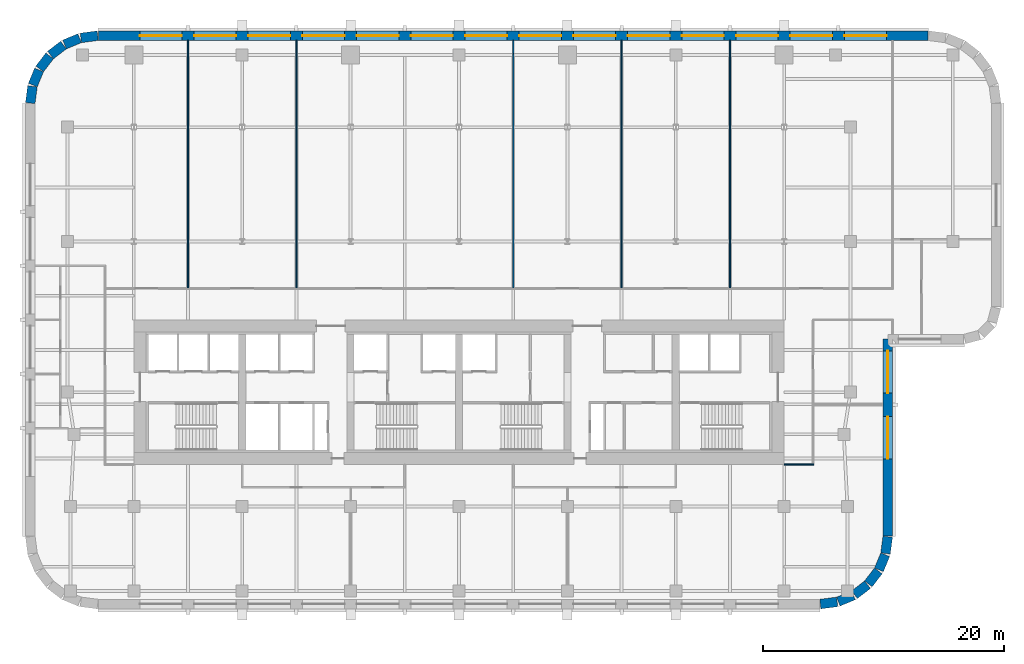
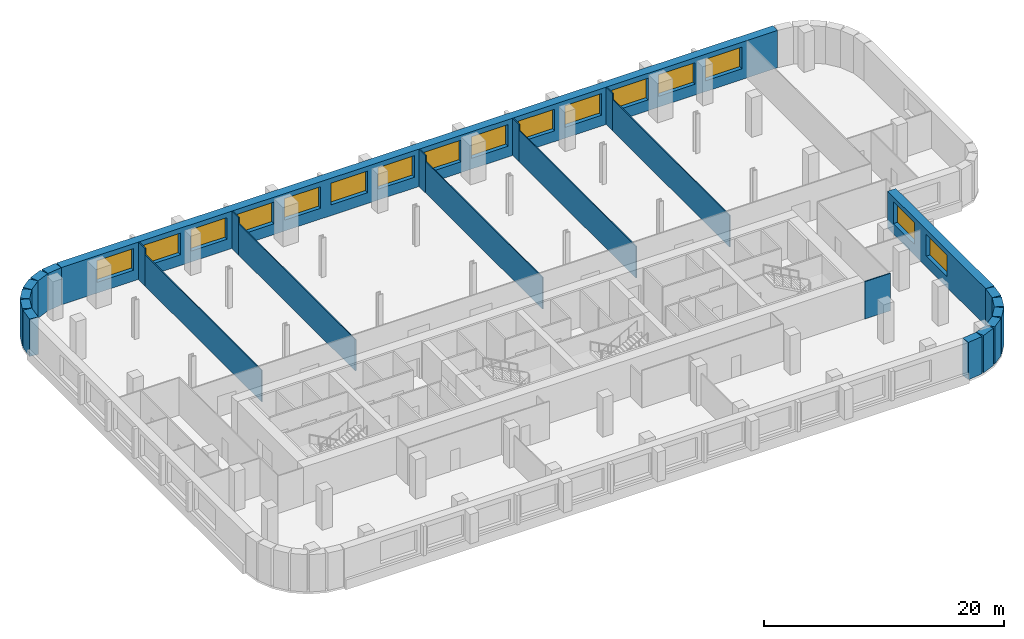
# One storey, part 6 of 9: 25 walls, 16 windows, 16 openings.
"""IFC4 building model written with IfcOpenShell, lengths in metres."""

import ifcopenshell
import ifcopenshell.guid

model = None  # the IFC model being written
_history = None  # IfcOwnerHistory: only IFC2X3 demands one
_inside = {}  # id of a spatial element -> (the spatial element, [elements in it])
_under = {}  # id of a project, library or spatial element -> (it, [spatial elements below it])
_declared = {}  # id of a project -> (the project, [libraries it declares])
_typed = {}  # id of a type object -> (the type object, [elements of that type])
_made_of = {}  # id of a material, layer set ... -> (it, [elements and type objects made of it])


def new_model(schema):
    """Start an empty IFC model of exactly this schema.

    Asked for "IFC4X3", IfcOpenShell would pick the latest addendum, in which some entities
    have other attributes; the version numbers below select the first issue.
    IFC2X3 requires an IfcOwnerHistory on every rooted entity: one is made here for all.
    """
    global model, _history
    if schema == "IFC4X3":
        model = ifcopenshell.file(schema_version=(4, 3, 0, 0))
    else:
        model = ifcopenshell.file(schema=schema)
    _inside.clear()
    _under.clear()
    _declared.clear()
    _typed.clear()
    _made_of.clear()
    _history = None
    if model.schema == "IFC2X3":
        org = make("IfcOrganization", Name="unknown")
        user = make(
            "IfcPersonAndOrganization",
            ThePerson=make("IfcPerson", FamilyName="unknown"),
            TheOrganization=org,
        )
        app = make(
            "IfcApplication",
            ApplicationDeveloper=org,
            Version="unknown",
            ApplicationFullName="unknown",
            ApplicationIdentifier="unknown",
        )
        _history = make(
            "IfcOwnerHistory",
            OwningUser=user,
            OwningApplication=app,
            ChangeAction="ADDED",
            CreationDate=0,
        )
    return model


def make(cls, **values):
    """One entity of the class cls with the attributes given. An attribute that is None is left unset."""
    return model.create_entity(
        cls, **{name: value for name, value in values.items() if value is not None}
    )


def rooted(cls, **values):
    """An entity with a GlobalId (a new one), such as an element, a storey or a relation."""
    return make(cls, GlobalId=ifcopenshell.guid.new(), OwnerHistory=_history, **values)


def si_unit(unit_type, name, prefix=None):
    """IfcSIUnit, for example si_unit("LENGTHUNIT", "METRE", prefix="MILLI")."""
    return make("IfcSIUnit", UnitType=unit_type, Prefix=prefix, Name=name)


def assignment(units):
    """IfcUnitAssignment: the units of a project."""
    return None if units is None else make("IfcUnitAssignment", Units=units)


def point(xyz):
    """IfcCartesianPoint."""
    return None if xyz is None else make("IfcCartesianPoint", Coordinates=xyz)


def direction(xyz):
    """IfcDirection."""
    return None if xyz is None else make("IfcDirection", DirectionRatios=xyz)


def frame(location, z_axis=None, x_axis=None):
    """IfcAxis2Placement3D, a coordinate frame: its origin and axes. An axis left out is left unset."""
    return make(
        "IfcAxis2Placement3D",
        Location=point(location),
        Axis=direction(z_axis),
        RefDirection=direction(x_axis),
    )


def frame_2d(location, x_axis=None):
    """IfcAxis2Placement2D, a coordinate frame in the plane: its origin and x axis."""
    return make(
        "IfcAxis2Placement2D", Location=point(location), RefDirection=direction(x_axis)
    )


def origin():
    """The frame at (0, 0, 0) with its axes left unset."""
    return frame((0.0, 0.0, 0.0))


def place(relative_to, where):
    """IfcLocalPlacement: puts the frame where relative to a parent placement (None: the world)."""
    return make(
        "IfcLocalPlacement", PlacementRelTo=relative_to, RelativePlacement=where
    )


def context(
    kind, dimensions, precision=None, world=None, true_north=None, identifier=None
):
    """IfcGeometricRepresentationContext, for example the 3D "Model" context."""
    return make(
        "IfcGeometricRepresentationContext",
        ContextIdentifier=identifier,
        ContextType=kind,
        CoordinateSpaceDimension=dimensions,
        Precision=precision,
        WorldCoordinateSystem=world,
        TrueNorth=true_north,
    )


def subcontext(parent, identifier, kind, view, scale=None):
    """IfcGeometricRepresentationSubContext, for example "Body" below "Model"."""
    return make(
        "IfcGeometricRepresentationSubContext",
        ContextIdentifier=identifier,
        ContextType=kind,
        ParentContext=parent,
        TargetScale=scale,
        TargetView=view,
    )


def project(units=None, contexts=None):
    """IfcProject with its units and contexts."""
    return rooted(
        "IfcProject",
        Name="project",
        RepresentationContexts=contexts,
        UnitsInContext=assignment(units),
    )


def spatial(cls, under=None, at=None, **own):
    """A site, building, storey or space (cls), placed at a placement, below another one or the project."""
    s = rooted(cls, ObjectPlacement=at, **own)
    if under is not None:
        _under.setdefault(under.id(), (under, []))[1].append(s)
    return s


def profile(cls, at=None, kind="AREA", **sizes):
    """A parametric profile (cls). Its sizes go by their IFC names, for example OverallWidth=200.0."""
    return make(cls, ProfileType=kind, Position=at, **sizes)


def rectangle(**sizes):
    """IfcRectangleProfileDef."""
    return profile("IfcRectangleProfileDef", **sizes)


def extrude(swept, where, along, depth):
    """IfcExtrudedAreaSolid: the profile swept, set in the frame where, extruded along a direction by depth."""
    return make(
        "IfcExtrudedAreaSolid",
        SweptArea=swept,
        Position=where,
        ExtrudedDirection=direction(along),
        Depth=depth,
    )


def shape(context_of_items, identifier, shape_type, items):
    """IfcShapeRepresentation: the items that make up one representation, for example the "Body"."""
    return make(
        "IfcShapeRepresentation",
        ContextOfItems=context_of_items,
        RepresentationIdentifier=identifier,
        RepresentationType=shape_type,
        Items=items,
    )


def material(Name=None, Category=None):
    """IfcMaterial."""
    return make("IfcMaterial", Name=Name, Category=Category)


def layer(
    of_material, thickness, ventilated=None, Name=None, Category=None, Priority=None
):
    """IfcMaterialLayer: one layer of a wall or slab, of a material (None: an air gap)."""
    return make(
        "IfcMaterialLayer",
        Material=of_material,
        LayerThickness=thickness,
        IsVentilated=ventilated,
        Name=Name,
        Category=Category,
        Priority=Priority,
    )


def layer_set(layers, Name=None):
    """IfcMaterialLayerSet."""
    return make("IfcMaterialLayerSet", MaterialLayers=layers, LayerSetName=Name)


def made_of(thing, what):
    """Note that an element or type object is made of a material, layer set ...; save() writes the relation."""
    if what is not None:
        _made_of.setdefault(what.id(), (what, []))[1].append(thing)
    return thing


def type_object(cls, material=None, **own):
    """A type object (cls), such as IfcWallType, which elements share."""
    return made_of(rooted(cls, **own), material)


def element(
    cls,
    number,
    at=None,
    inside=None,
    cuts=None,
    type_object=None,
    material=None,
    context=None,
    identifier="Body",
    shape_type=None,
    held_by="IfcProductDefinitionShape",
    body=None,
    shapes=None,
    **own,
):
    """One element of the class cls, such as IfcWall. Its Tag is "e" and its number.

    at: its placement. inside: the storey or other place that contains it. cuts: it is an
    opening in that element (IfcRelVoidsElement). A single representation is given by context,
    identifier, shape_type and body (its items); several are given by shapes. held_by: the class
    of the entity that holds the representations. save() writes the other relations.
    """
    e = rooted(cls, Tag="e%d" % number, ObjectPlacement=at, **own)
    if body is not None:
        shapes = [shape(context, identifier, shape_type, body)]
    if shapes is not None:
        e.Representation = make(held_by, Representations=shapes)
    if inside is not None:
        _inside.setdefault(inside.id(), (inside, []))[1].append(e)
    if cuts is not None:
        rooted(
            "IfcRelVoidsElement", RelatingBuildingElement=cuts, RelatedOpeningElement=e
        )
    if type_object is not None:
        _typed.setdefault(type_object.id(), (type_object, []))[1].append(e)
    return made_of(e, material)


def fill(opening, filler):
    """IfcRelFillsElement: the door or window that sits in an opening."""
    return rooted(
        "IfcRelFillsElement",
        RelatingOpeningElement=opening,
        RelatedBuildingElement=filler,
    )


def aggregate(whole, parts):
    """IfcRelAggregates: a whole, such as a stair, and the parts it consists of."""
    return rooted("IfcRelAggregates", RelatingObject=whole, RelatedObjects=parts)


def save(model, path):
    """Write the relations noted so far, then the file.

    IfcRelAggregates (storeys below a building ...), IfcRelContainedInSpatialStructure (elements
    in a storey), IfcRelDefinesByType, IfcRelAssociatesMaterial and IfcRelDeclares: one each for
    every whole, place, type object, material and project.
    """
    for whole, parts in _under.values():
        aggregate(whole, parts)
    for where, things in _inside.values():
        rooted(
            "IfcRelContainedInSpatialStructure",
            RelatedElements=things,
            RelatingStructure=where,
        )
    for kind, things in _typed.values():
        rooted("IfcRelDefinesByType", RelatedObjects=things, RelatingType=kind)
    for what, things in _made_of.values():
        rooted("IfcRelAssociatesMaterial", RelatedObjects=things, RelatingMaterial=what)
    for by, libraries in _declared.values():
        rooted("IfcRelDeclares", RelatingContext=by, RelatedDefinitions=libraries)
    model.write(path)


model = new_model("IFC4")

# Units and contexts
model_context = context("Model", 3, precision=1e-05, world=origin(), true_north=direction((0.0, 1.0)))
body_context = subcontext(model_context, "Body", "Model", "MODEL_VIEW")
ifc_project = project(units=[si_unit("LENGTHUNIT", "METRE"), si_unit("AREAUNIT", "SQUARE_METRE"), si_unit("VOLUMEUNIT", "CUBIC_METRE"), si_unit("PLANEANGLEUNIT", "RADIAN"), si_unit("MASSUNIT", "GRAM", prefix="KILO")], contexts=[model_context])

# Site, building, storey
site_placement = place(None, origin())
site = spatial("IfcSite", under=ifc_project, at=site_placement, CompositionType="ELEMENT")
building_placement = place(site_placement, origin())
building = spatial("IfcBuilding", under=site, at=building_placement, Name="Zellij Exchange Tower", CompositionType="ELEMENT")
storey_placement = place(building_placement, frame((0.0, 0.0, 136.5)))
storey = spatial("IfcBuildingStorey", under=building, at=storey_placement, Name="L30", CompositionType="ELEMENT", Elevation=136.5)

# Walls
ifc_material_1 = material(Name="Precast concrete C40/50", Category="concrete")
ifc_layer_1 = layer(ifc_material_1, 0.800048828125)
ifc_layer_set_1 = layer_set([ifc_layer_1], Name="Precast concrete C40/50")
wall_type_1 = type_object("IfcWallType", Name="ENV-EW1 Precast stone-piered wall 800", PredefinedType="SOLIDWALL", material=ifc_layer_set_1)
wall_1_placement = place(storey_placement, frame((29.999755859375, -25.5966796875, 0.0), z_axis=(0.0, 0.0, 1.0), x_axis=(0.99144603414, 0.130517283865, 0.0)))
element("IfcWall", 1, at=wall_1_placement, inside=storey, type_object=wall_type_1, Name="fac.L30.01", PredefinedType="SOLIDWALL", context=body_context, shape_type="SweptSolid", body=[
    extrude(rectangle(XDim=1.408447265625, YDim=0.800048828125, at=frame_2d((0.7041015625, 0.0))), origin(), (0.0, 0.0, 1.0), 3.800048828125),
])
wall_2_placement = place(storey_placement, frame((31.497314453125, -25.3857421875, 0.0), z_axis=(0.0, 0.0, 1.0), x_axis=(0.923847774587, 0.38276009378, 0.0)))
element("IfcWall", 2, at=wall_2_placement, inside=storey, type_object=wall_type_1, Name="fac.L30.02", PredefinedType="SOLIDWALL", context=body_context, shape_type="SweptSolid", body=[
    extrude(rectangle(XDim=1.35546875, YDim=0.800048828125, at=frame_2d((0.677734375, 0.0))), origin(), (0.0, 0.0, 1.0), 3.800048828125),
])
for number, where, z_axis, x_axis, name in (
    (3, (32.840087890625, -24.814697265625, 0.0), (0.0, 0.0, 1.0), (0.793272915452, 0.608866226366, 0.0), "fac.L30.03"),
    (4, (33.9892578125, -23.91552734375, 0.0), (0.0, 0.0, 1.0), (0.608866226366, 0.793272915452, 0.0), "fac.L30.04"),
):
    element("IfcWall", number, at=place(storey_placement, frame(where, z_axis=z_axis, x_axis=x_axis)), inside=storey, type_object=wall_type_1, Name=name, PredefinedType="SOLIDWALL", context=body_context, shape_type="SweptSolid", body=[
        extrude(rectangle(XDim=1.355712890625, YDim=0.800048828125, at=frame_2d((0.677734375, 0.0))), origin(), (0.0, 0.0, 1.0), 3.800048828125),
    ])
wall_3_placement = place(storey_placement, frame((34.866943359375, -22.74951171875, 0.0), z_axis=(0.0, 0.0, 1.0), x_axis=(0.38276009378, 0.923847774587, 0.0)))
element("IfcWall", 5, at=wall_3_placement, inside=storey, type_object=wall_type_1, Name="fac.L30.05", PredefinedType="SOLIDWALL", context=body_context, shape_type="SweptSolid", body=[
    extrude(rectangle(XDim=1.35546875, YDim=0.800048828125, at=frame_2d((0.677734375, 0.0))), origin(), (0.0, 0.0, 1.0), 3.800048828125),
])
wall_4_placement = place(storey_placement, frame((35.412841796875, -21.396240234375, 0.0), z_axis=(0.0, 0.0, 1.0), x_axis=(0.130517283865, 0.99144603414, 0.0)))
element("IfcWall", 6, at=wall_4_placement, inside=storey, type_object=wall_type_1, Name="fac.L30.06", PredefinedType="SOLIDWALL", context=body_context, shape_type="SweptSolid", body=[
    extrude(rectangle(XDim=1.408447265625, YDim=0.800048828125, at=frame_2d((0.7041015625, 0.0))), origin(), (0.0, 0.0, 1.0), 3.800048828125),
])

# Wall, openings, windows
wall_5_placement = place(storey_placement, frame((35.60009765625, -19.947509765625, 0.0), z_axis=(0.0, 0.0, 1.0), x_axis=(0.0, 1.0, 0.0)))
wall_5 = element("IfcWall", 7, at=wall_5_placement, inside=storey, type_object=wall_type_1, Name="fac.L30.07", PredefinedType="SOLIDWALL", context=body_context, shape_type="SweptSolid", body=[
    extrude(rectangle(XDim=16.347412109375, YDim=0.800048828125, at=frame_2d((8.173828125, 0.0))), origin(), (0.0, 0.0, 1.0), 3.800048828125),
])
opening_1_placement = place(wall_5_placement, frame((6.41064453125, 0.0, 1.10009765625)))
opening_1 = element("IfcOpeningElement", 8, at=opening_1_placement, cuts=wall_5, Name="Opening FZ2.13", PredefinedType="OPENING", context=body_context, shape_type="SweptSolid", body=[
    extrude(rectangle(XDim=3.5, YDim=2.199951171875, at=frame_2d((1.75, 1.10009765625))), frame((0.0, 0.412109375, 0.0), z_axis=(0.0, -1.0, 0.0), x_axis=(1.0, 0.0, 0.0)), (0.0, 0.0, 1.0), 0.823974609375),
])
opening_2_placement = place(wall_5_placement, frame((11.86865234375, 0.0, 1.10009765625)))
opening_2 = element("IfcOpeningElement", 9, at=opening_2_placement, cuts=wall_5, Name="Opening FZ2.14", PredefinedType="OPENING", context=body_context, shape_type="SweptSolid", body=[
    extrude(rectangle(XDim=3.5, YDim=2.199951171875, at=frame_2d((1.75, 1.10009765625))), frame((0.0, 0.412109375, 0.0), z_axis=(0.0, -1.0, 0.0), x_axis=(1.0, 0.0, 0.0)), (0.0, 0.0, 1.0), 0.823974609375),
])
ifc_material_2 = material(Name="Aluminium frame with insulating glass", Category="aluminium")
window_type = type_object("IfcWindowType", Name="ENV-W7 Window 3500x2200", PartitioningType="SINGLE_PANEL", PredefinedType="WINDOW", material=ifc_material_2)
window_1_placement = place(opening_1_placement, origin())
window_1 = element("IfcWindow", 10, at=window_1_placement, inside=storey, type_object=window_type, Name="Window FZ2.13", OverallHeight=2.199951171875, OverallWidth=3.5, PartitioningType="SINGLE_PANEL", PredefinedType="WINDOW", context=body_context, shape_type="SweptSolid", body=[
    extrude(rectangle(XDim=3.5, YDim=2.199951171875, at=frame_2d((1.75, 1.10009765625))), frame((0.0, 0.030029296875, 0.0), z_axis=(0.0, -1.0, 0.0), x_axis=(1.0, 0.0, 0.0)), (0.0, 0.0, 1.0), 0.06005859375),
])
fill(opening_1, window_1)
window_2_placement = place(opening_2_placement, origin())
window_2 = element("IfcWindow", 11, at=window_2_placement, inside=storey, type_object=window_type, Name="Window FZ2.14", OverallHeight=2.199951171875, OverallWidth=3.5, PartitioningType="SINGLE_PANEL", PredefinedType="WINDOW", context=body_context, shape_type="SweptSolid", body=[
    extrude(rectangle(XDim=3.5, YDim=2.199951171875, at=frame_2d((1.75, 1.10009765625))), frame((0.0, 0.030029296875, 0.0), z_axis=(0.0, -1.0, 0.0), x_axis=(1.0, 0.0, 0.0)), (0.0, 0.0, 1.0), 0.06005859375),
])
fill(opening_2, window_2)

wall_6_placement = place(storey_placement, frame((38.947509765625, 21.60009765625, 0.0), z_axis=(0.0, 0.0, 1.0), x_axis=(-1.0, 0.0, 0.0)))
wall_6 = element("IfcWall", 12, at=wall_6_placement, inside=storey, type_object=wall_type_1, Name="fac.L30.19", PredefinedType="SOLIDWALL", context=body_context, shape_type="SweptSolid", body=[
    extrude(rectangle(XDim=68.89501953125, YDim=0.800048828125, at=frame_2d((34.447509765625, 0.0))), origin(), (0.0, 0.0, 1.0), 3.800048828125),
])
opening_3_placement = place(wall_6_placement, frame((3.447509765625, 0.0, 1.10009765625)))
opening_3 = element("IfcOpeningElement", 13, at=opening_3_placement, cuts=wall_6, Name="Opening FZ2.17", PredefinedType="OPENING", context=body_context, shape_type="SweptSolid", body=[
    extrude(rectangle(XDim=3.5, YDim=2.199951171875, at=frame_2d((1.75, 1.10009765625))), frame((0.0, 0.412109375, 0.0), z_axis=(0.0, -1.0, 0.0), x_axis=(1.0, 0.0, 0.0)), (0.0, 0.0, 1.0), 0.823974609375),
])
opening_4_placement = place(wall_6_placement, frame((7.947509765625, 0.0, 1.10009765625)))
opening_4 = element("IfcOpeningElement", 14, at=opening_4_placement, cuts=wall_6, Name="Opening FZ2.18", PredefinedType="OPENING", context=body_context, shape_type="SweptSolid", body=[
    extrude(rectangle(XDim=3.5, YDim=2.199951171875, at=frame_2d((1.75, 1.10009765625))), frame((0.0, 0.412109375, 0.0), z_axis=(0.0, -1.0, 0.0), x_axis=(1.0, 0.0, 0.0)), (0.0, 0.0, 1.0), 0.823974609375),
])
opening_5_placement = place(wall_6_placement, frame((12.447509765625, 0.0, 1.10009765625)))
opening_5 = element("IfcOpeningElement", 15, at=opening_5_placement, cuts=wall_6, Name="Opening FZ2.19", PredefinedType="OPENING", context=body_context, shape_type="SweptSolid", body=[
    extrude(rectangle(XDim=3.5, YDim=2.199951171875, at=frame_2d((1.75, 1.10009765625))), frame((0.0, 0.412109375, 0.0), z_axis=(0.0, -1.0, 0.0), x_axis=(1.0, 0.0, 0.0)), (0.0, 0.0, 1.0), 0.823974609375),
])
opening_6_placement = place(wall_6_placement, frame((16.947509765625, 0.0, 1.10009765625)))
opening_6 = element("IfcOpeningElement", 16, at=opening_6_placement, cuts=wall_6, Name="Opening FZ2.20", PredefinedType="OPENING", context=body_context, shape_type="SweptSolid", body=[
    extrude(rectangle(XDim=3.5, YDim=2.199951171875, at=frame_2d((1.75, 1.10009765625))), frame((0.0, 0.412109375, 0.0), z_axis=(0.0, -1.0, 0.0), x_axis=(1.0, 0.0, 0.0)), (0.0, 0.0, 1.0), 0.823974609375),
])
opening_7_placement = place(wall_6_placement, frame((21.447509765625, 0.0, 1.10009765625)))
opening_7 = element("IfcOpeningElement", 17, at=opening_7_placement, cuts=wall_6, Name="Opening FZ2.21", PredefinedType="OPENING", context=body_context, shape_type="SweptSolid", body=[
    extrude(rectangle(XDim=3.5, YDim=2.199951171875, at=frame_2d((1.75, 1.10009765625))), frame((0.0, 0.412109375, 0.0), z_axis=(0.0, -1.0, 0.0), x_axis=(1.0, 0.0, 0.0)), (0.0, 0.0, 1.0), 0.823974609375),
])
opening_8_placement = place(wall_6_placement, frame((25.947509765625, 0.0, 1.10009765625)))
opening_8 = element("IfcOpeningElement", 18, at=opening_8_placement, cuts=wall_6, Name="Opening FZ2.22", PredefinedType="OPENING", context=body_context, shape_type="SweptSolid", body=[
    extrude(rectangle(XDim=3.5, YDim=2.199951171875, at=frame_2d((1.75, 1.10009765625))), frame((0.0, 0.412109375, 0.0), z_axis=(0.0, -1.0, 0.0), x_axis=(1.0, 0.0, 0.0)), (0.0, 0.0, 1.0), 0.823974609375),
])
opening_9_placement = place(wall_6_placement, frame((30.447509765625, 0.0, 1.10009765625)))
opening_9 = element("IfcOpeningElement", 19, at=opening_9_placement, cuts=wall_6, Name="Opening FZ2.23", PredefinedType="OPENING", context=body_context, shape_type="SweptSolid", body=[
    extrude(rectangle(XDim=3.5, YDim=2.199951171875, at=frame_2d((1.75, 1.10009765625))), frame((0.0, 0.412109375, 0.0), z_axis=(0.0, -1.0, 0.0), x_axis=(1.0, 0.0, 0.0)), (0.0, 0.0, 1.0), 0.823974609375),
])
opening_10_placement = place(wall_6_placement, frame((34.947509765625, 0.0, 1.10009765625)))
opening_10 = element("IfcOpeningElement", 20, at=opening_10_placement, cuts=wall_6, Name="Opening FZ2.24", PredefinedType="OPENING", context=body_context, shape_type="SweptSolid", body=[
    extrude(rectangle(XDim=3.5, YDim=2.199951171875, at=frame_2d((1.75, 1.10009765625))), frame((0.0, 0.412109375, 0.0), z_axis=(0.0, -1.0, 0.0), x_axis=(1.0, 0.0, 0.0)), (0.0, 0.0, 1.0), 0.823974609375),
])
opening_11_placement = place(wall_6_placement, frame((39.447509765625, 0.0, 1.10009765625)))
opening_11 = element("IfcOpeningElement", 21, at=opening_11_placement, cuts=wall_6, Name="Opening FZ2.25", PredefinedType="OPENING", context=body_context, shape_type="SweptSolid", body=[
    extrude(rectangle(XDim=3.5, YDim=2.199951171875, at=frame_2d((1.75, 1.10009765625))), frame((0.0, 0.412109375, 0.0), z_axis=(0.0, -1.0, 0.0), x_axis=(1.0, 0.0, 0.0)), (0.0, 0.0, 1.0), 0.823974609375),
])
opening_12_placement = place(wall_6_placement, frame((43.947509765625, 0.0, 1.10009765625)))
opening_12 = element("IfcOpeningElement", 22, at=opening_12_placement, cuts=wall_6, Name="Opening FZ2.26", PredefinedType="OPENING", context=body_context, shape_type="SweptSolid", body=[
    extrude(rectangle(XDim=3.5, YDim=2.199951171875, at=frame_2d((1.75, 1.10009765625))), frame((0.0, 0.412109375, 0.0), z_axis=(0.0, -1.0, 0.0), x_axis=(1.0, 0.0, 0.0)), (0.0, 0.0, 1.0), 0.823974609375),
])
opening_13_placement = place(wall_6_placement, frame((48.447509765625, 0.0, 1.10009765625)))
opening_13 = element("IfcOpeningElement", 23, at=opening_13_placement, cuts=wall_6, Name="Opening FZ2.27", PredefinedType="OPENING", context=body_context, shape_type="SweptSolid", body=[
    extrude(rectangle(XDim=3.5, YDim=2.199951171875, at=frame_2d((1.75, 1.10009765625))), frame((0.0, 0.412109375, 0.0), z_axis=(0.0, -1.0, 0.0), x_axis=(1.0, 0.0, 0.0)), (0.0, 0.0, 1.0), 0.823974609375),
])
opening_14_placement = place(wall_6_placement, frame((52.947509765625, 0.0, 1.10009765625)))
opening_14 = element("IfcOpeningElement", 24, at=opening_14_placement, cuts=wall_6, Name="Opening FZ2.28", PredefinedType="OPENING", context=body_context, shape_type="SweptSolid", body=[
    extrude(rectangle(XDim=3.5, YDim=2.199951171875, at=frame_2d((1.75, 1.10009765625))), frame((0.0, 0.412109375, 0.0), z_axis=(0.0, -1.0, 0.0), x_axis=(1.0, 0.0, 0.0)), (0.0, 0.0, 1.0), 0.823974609375),
])
opening_15_placement = place(wall_6_placement, frame((57.447509765625, 0.0, 1.10009765625)))
opening_15 = element("IfcOpeningElement", 25, at=opening_15_placement, cuts=wall_6, Name="Opening FZ2.29", PredefinedType="OPENING", context=body_context, shape_type="SweptSolid", body=[
    extrude(rectangle(XDim=3.5, YDim=2.199951171875, at=frame_2d((1.75, 1.10009765625))), frame((0.0, 0.412109375, 0.0), z_axis=(0.0, -1.0, 0.0), x_axis=(1.0, 0.0, 0.0)), (0.0, 0.0, 1.0), 0.823974609375),
])
opening_16_placement = place(wall_6_placement, frame((61.947509765625, 0.0, 1.10009765625)))
opening_16 = element("IfcOpeningElement", 26, at=opening_16_placement, cuts=wall_6, Name="Opening FZ2.30", PredefinedType="OPENING", context=body_context, shape_type="SweptSolid", body=[
    extrude(rectangle(XDim=3.5, YDim=2.199951171875, at=frame_2d((1.75, 1.10009765625))), frame((0.0, 0.412109375, 0.0), z_axis=(0.0, -1.0, 0.0), x_axis=(1.0, 0.0, 0.0)), (0.0, 0.0, 1.0), 0.823974609375),
])
window_3_placement = place(opening_3_placement, origin())
window_3 = element("IfcWindow", 27, at=window_3_placement, inside=storey, type_object=window_type, Name="Window FZ2.17", OverallHeight=2.199951171875, OverallWidth=3.5, PartitioningType="SINGLE_PANEL", PredefinedType="WINDOW", context=body_context, shape_type="SweptSolid", body=[
    extrude(rectangle(XDim=3.5, YDim=2.199951171875, at=frame_2d((1.75, 1.10009765625))), frame((0.0, 0.030029296875, 0.0), z_axis=(0.0, -1.0, 0.0), x_axis=(1.0, 0.0, 0.0)), (0.0, 0.0, 1.0), 0.06005859375),
])
fill(opening_3, window_3)
window_4_placement = place(opening_4_placement, origin())
window_4 = element("IfcWindow", 28, at=window_4_placement, inside=storey, type_object=window_type, Name="Window FZ2.18", OverallHeight=2.199951171875, OverallWidth=3.5, PartitioningType="SINGLE_PANEL", PredefinedType="WINDOW", context=body_context, shape_type="SweptSolid", body=[
    extrude(rectangle(XDim=3.5, YDim=2.199951171875, at=frame_2d((1.75, 1.10009765625))), frame((0.0, 0.030029296875, 0.0), z_axis=(0.0, -1.0, 0.0), x_axis=(1.0, 0.0, 0.0)), (0.0, 0.0, 1.0), 0.06005859375),
])
fill(opening_4, window_4)
window_5_placement = place(opening_5_placement, origin())
window_5 = element("IfcWindow", 29, at=window_5_placement, inside=storey, type_object=window_type, Name="Window FZ2.19", OverallHeight=2.199951171875, OverallWidth=3.5, PartitioningType="SINGLE_PANEL", PredefinedType="WINDOW", context=body_context, shape_type="SweptSolid", body=[
    extrude(rectangle(XDim=3.5, YDim=2.199951171875, at=frame_2d((1.75, 1.10009765625))), frame((0.0, 0.030029296875, 0.0), z_axis=(0.0, -1.0, 0.0), x_axis=(1.0, 0.0, 0.0)), (0.0, 0.0, 1.0), 0.06005859375),
])
fill(opening_5, window_5)
window_6_placement = place(opening_6_placement, origin())
window_6 = element("IfcWindow", 30, at=window_6_placement, inside=storey, type_object=window_type, Name="Window FZ2.20", OverallHeight=2.199951171875, OverallWidth=3.5, PartitioningType="SINGLE_PANEL", PredefinedType="WINDOW", context=body_context, shape_type="SweptSolid", body=[
    extrude(rectangle(XDim=3.5, YDim=2.199951171875, at=frame_2d((1.75, 1.10009765625))), frame((0.0, 0.030029296875, 0.0), z_axis=(0.0, -1.0, 0.0), x_axis=(1.0, 0.0, 0.0)), (0.0, 0.0, 1.0), 0.06005859375),
])
fill(opening_6, window_6)
window_7_placement = place(opening_7_placement, origin())
window_7 = element("IfcWindow", 31, at=window_7_placement, inside=storey, type_object=window_type, Name="Window FZ2.21", OverallHeight=2.199951171875, OverallWidth=3.5, PartitioningType="SINGLE_PANEL", PredefinedType="WINDOW", context=body_context, shape_type="SweptSolid", body=[
    extrude(rectangle(XDim=3.5, YDim=2.199951171875, at=frame_2d((1.75, 1.10009765625))), frame((0.0, 0.030029296875, 0.0), z_axis=(0.0, -1.0, 0.0), x_axis=(1.0, 0.0, 0.0)), (0.0, 0.0, 1.0), 0.06005859375),
])
fill(opening_7, window_7)
window_8_placement = place(opening_8_placement, origin())
window_8 = element("IfcWindow", 32, at=window_8_placement, inside=storey, type_object=window_type, Name="Window FZ2.22", OverallHeight=2.199951171875, OverallWidth=3.5, PartitioningType="SINGLE_PANEL", PredefinedType="WINDOW", context=body_context, shape_type="SweptSolid", body=[
    extrude(rectangle(XDim=3.5, YDim=2.199951171875, at=frame_2d((1.75, 1.10009765625))), frame((0.0, 0.030029296875, 0.0), z_axis=(0.0, -1.0, 0.0), x_axis=(1.0, 0.0, 0.0)), (0.0, 0.0, 1.0), 0.06005859375),
])
fill(opening_8, window_8)
window_9_placement = place(opening_9_placement, origin())
window_9 = element("IfcWindow", 33, at=window_9_placement, inside=storey, type_object=window_type, Name="Window FZ2.23", OverallHeight=2.199951171875, OverallWidth=3.5, PartitioningType="SINGLE_PANEL", PredefinedType="WINDOW", context=body_context, shape_type="SweptSolid", body=[
    extrude(rectangle(XDim=3.5, YDim=2.199951171875, at=frame_2d((1.75, 1.10009765625))), frame((0.0, 0.030029296875, 0.0), z_axis=(0.0, -1.0, 0.0), x_axis=(1.0, 0.0, 0.0)), (0.0, 0.0, 1.0), 0.06005859375),
])
fill(opening_9, window_9)
window_10_placement = place(opening_10_placement, origin())
window_10 = element("IfcWindow", 34, at=window_10_placement, inside=storey, type_object=window_type, Name="Window FZ2.24", OverallHeight=2.199951171875, OverallWidth=3.5, PartitioningType="SINGLE_PANEL", PredefinedType="WINDOW", context=body_context, shape_type="SweptSolid", body=[
    extrude(rectangle(XDim=3.5, YDim=2.199951171875, at=frame_2d((1.75, 1.10009765625))), frame((0.0, 0.030029296875, 0.0), z_axis=(0.0, -1.0, 0.0), x_axis=(1.0, 0.0, 0.0)), (0.0, 0.0, 1.0), 0.06005859375),
])
fill(opening_10, window_10)
window_11_placement = place(opening_11_placement, origin())
window_11 = element("IfcWindow", 35, at=window_11_placement, inside=storey, type_object=window_type, Name="Window FZ2.25", OverallHeight=2.199951171875, OverallWidth=3.5, PartitioningType="SINGLE_PANEL", PredefinedType="WINDOW", context=body_context, shape_type="SweptSolid", body=[
    extrude(rectangle(XDim=3.5, YDim=2.199951171875, at=frame_2d((1.75, 1.10009765625))), frame((0.0, 0.030029296875, 0.0), z_axis=(0.0, -1.0, 0.0), x_axis=(1.0, 0.0, 0.0)), (0.0, 0.0, 1.0), 0.06005859375),
])
fill(opening_11, window_11)
window_12_placement = place(opening_12_placement, origin())
window_12 = element("IfcWindow", 36, at=window_12_placement, inside=storey, type_object=window_type, Name="Window FZ2.26", OverallHeight=2.199951171875, OverallWidth=3.5, PartitioningType="SINGLE_PANEL", PredefinedType="WINDOW", context=body_context, shape_type="SweptSolid", body=[
    extrude(rectangle(XDim=3.5, YDim=2.199951171875, at=frame_2d((1.75, 1.10009765625))), frame((0.0, 0.030029296875, 0.0), z_axis=(0.0, -1.0, 0.0), x_axis=(1.0, 0.0, 0.0)), (0.0, 0.0, 1.0), 0.06005859375),
])
fill(opening_12, window_12)
window_13_placement = place(opening_13_placement, origin())
window_13 = element("IfcWindow", 37, at=window_13_placement, inside=storey, type_object=window_type, Name="Window FZ2.27", OverallHeight=2.199951171875, OverallWidth=3.5, PartitioningType="SINGLE_PANEL", PredefinedType="WINDOW", context=body_context, shape_type="SweptSolid", body=[
    extrude(rectangle(XDim=3.5, YDim=2.199951171875, at=frame_2d((1.75, 1.10009765625))), frame((0.0, 0.030029296875, 0.0), z_axis=(0.0, -1.0, 0.0), x_axis=(1.0, 0.0, 0.0)), (0.0, 0.0, 1.0), 0.06005859375),
])
fill(opening_13, window_13)
window_14_placement = place(opening_14_placement, origin())
window_14 = element("IfcWindow", 38, at=window_14_placement, inside=storey, type_object=window_type, Name="Window FZ2.28", OverallHeight=2.199951171875, OverallWidth=3.5, PartitioningType="SINGLE_PANEL", PredefinedType="WINDOW", context=body_context, shape_type="SweptSolid", body=[
    extrude(rectangle(XDim=3.5, YDim=2.199951171875, at=frame_2d((1.75, 1.10009765625))), frame((0.0, 0.030029296875, 0.0), z_axis=(0.0, -1.0, 0.0), x_axis=(1.0, 0.0, 0.0)), (0.0, 0.0, 1.0), 0.06005859375),
])
fill(opening_14, window_14)
window_15_placement = place(opening_15_placement, origin())
window_15 = element("IfcWindow", 39, at=window_15_placement, inside=storey, type_object=window_type, Name="Window FZ2.29", OverallHeight=2.199951171875, OverallWidth=3.5, PartitioningType="SINGLE_PANEL", PredefinedType="WINDOW", context=body_context, shape_type="SweptSolid", body=[
    extrude(rectangle(XDim=3.5, YDim=2.199951171875, at=frame_2d((1.75, 1.10009765625))), frame((0.0, 0.030029296875, 0.0), z_axis=(0.0, -1.0, 0.0), x_axis=(1.0, 0.0, 0.0)), (0.0, 0.0, 1.0), 0.06005859375),
])
fill(opening_15, window_15)
window_16_placement = place(opening_16_placement, origin())
window_16 = element("IfcWindow", 40, at=window_16_placement, inside=storey, type_object=window_type, Name="Window FZ2.30", OverallHeight=2.199951171875, OverallWidth=3.5, PartitioningType="SINGLE_PANEL", PredefinedType="WINDOW", context=body_context, shape_type="SweptSolid", body=[
    extrude(rectangle(XDim=3.5, YDim=2.199951171875, at=frame_2d((1.75, 1.10009765625))), frame((0.0, 0.030029296875, 0.0), z_axis=(0.0, -1.0, 0.0), x_axis=(1.0, 0.0, 0.0)), (0.0, 0.0, 1.0), 0.06005859375),
])
fill(opening_16, window_16)

# Walls
wall_7_placement = place(storey_placement, frame((-29.999755859375, 21.5966796875, 0.0), z_axis=(0.0, 0.0, 1.0), x_axis=(-0.99144603414, -0.130517283865, 0.0)))
element("IfcWall", 41, at=wall_7_placement, inside=storey, type_object=wall_type_1, Name="fac.L30.20", PredefinedType="SOLIDWALL", context=body_context, shape_type="SweptSolid", body=[
    extrude(rectangle(XDim=1.408447265625, YDim=0.800048828125, at=frame_2d((0.7041015625, 0.0))), origin(), (0.0, 0.0, 1.0), 3.800048828125),
])
wall_8_placement = place(storey_placement, frame((-31.497314453125, 21.3857421875, 0.0), z_axis=(0.0, 0.0, 1.0), x_axis=(-0.923847774587, -0.38276009378, 0.0)))
element("IfcWall", 42, at=wall_8_placement, inside=storey, type_object=wall_type_1, Name="fac.L30.21", PredefinedType="SOLIDWALL", context=body_context, shape_type="SweptSolid", body=[
    extrude(rectangle(XDim=1.35546875, YDim=0.800048828125, at=frame_2d((0.677734375, 0.0))), origin(), (0.0, 0.0, 1.0), 3.800048828125),
])
for number, where, z_axis, x_axis, name in (
    (43, (-32.840087890625, 20.814697265625, 0.0), (0.0, 0.0, 1.0), (-0.793272915452, -0.608866226366, 0.0), "fac.L30.22"),
    (44, (-33.9892578125, 19.91552734375, 0.0), (0.0, 0.0, 1.0), (-0.608866226366, -0.793272915452, 0.0), "fac.L30.23"),
):
    element("IfcWall", number, at=place(storey_placement, frame(where, z_axis=z_axis, x_axis=x_axis)), inside=storey, type_object=wall_type_1, Name=name, PredefinedType="SOLIDWALL", context=body_context, shape_type="SweptSolid", body=[
        extrude(rectangle(XDim=1.355712890625, YDim=0.800048828125, at=frame_2d((0.677734375, 0.0))), origin(), (0.0, 0.0, 1.0), 3.800048828125),
    ])
wall_9_placement = place(storey_placement, frame((-34.866943359375, 18.74951171875, 0.0), z_axis=(0.0, 0.0, 1.0), x_axis=(-0.38276009378, -0.923847774587, 0.0)))
element("IfcWall", 45, at=wall_9_placement, inside=storey, type_object=wall_type_1, Name="fac.L30.24", PredefinedType="SOLIDWALL", context=body_context, shape_type="SweptSolid", body=[
    extrude(rectangle(XDim=1.35546875, YDim=0.800048828125, at=frame_2d((0.677734375, 0.0))), origin(), (0.0, 0.0, 1.0), 3.800048828125),
])
wall_10_placement = place(storey_placement, frame((-35.412841796875, 17.396240234375, 0.0), z_axis=(0.0, 0.0, 1.0), x_axis=(-0.130517283865, -0.99144603414, 0.0)))
element("IfcWall", 46, at=wall_10_placement, inside=storey, type_object=wall_type_1, Name="fac.L30.25", PredefinedType="SOLIDWALL", context=body_context, shape_type="SweptSolid", body=[
    extrude(rectangle(XDim=1.408447265625, YDim=0.800048828125, at=frame_2d((0.7041015625, 0.0))), origin(), (0.0, 0.0, 1.0), 3.800048828125),
])
ifc_material_3 = material(Name="Gypsum board partition on steel studs", Category="steel")
ifc_layer_2 = layer(ifc_material_3, 0.10009765625)
ifc_layer_set_2 = layer_set([ifc_layer_2], Name="Gypsum board partition on steel studs")
wall_type_2 = type_object("IfcWallType", Name="FIT-PARTITION-100", PredefinedType="PARTITIONING", material=ifc_layer_set_2)
wall_11_placement = place(storey_placement, frame((27.0, -14.0, 0.0), z_axis=(0.0, 0.0, 1.0), x_axis=(1.0, 0.0, 0.0)))
element("IfcWall", 47, at=wall_11_placement, inside=storey, type_object=wall_type_2, Name="FIT-PARTITION-100 013", PredefinedType="PARTITIONING", context=body_context, shape_type="SweptSolid", body=[
    extrude(rectangle(XDim=2.449951171875, YDim=0.10009765625, at=frame_2d((1.22509765625, 0.0))), origin(), (0.0, 0.0, 1.0), 3.800048828125),
])
wall_12_placement = place(storey_placement, frame((-22.5, 0.64990234375, 0.0), z_axis=(0.0, 0.0, 1.0), x_axis=(0.0, 1.0, 0.0)))
element("IfcWall", 48, at=wall_12_placement, inside=storey, type_object=wall_type_2, Name="FIT-PARTITION-100 025", PredefinedType="PARTITIONING", context=body_context, shape_type="SweptSolid", body=[
    extrude(rectangle(XDim=19.464599609375, YDim=0.10009765625, at=frame_2d((9.732421875, 0.0))), origin(), (0.0, 0.0, 1.0), 3.197998046875),
])
wall_13_placement = place(storey_placement, frame((-22.5, 20.114501953125, 0.0), z_axis=(0.0, 0.0, 1.0), x_axis=(0.0, 1.0, 0.0)))
element("IfcWall", 49, at=wall_13_placement, inside=storey, type_object=wall_type_2, Name="FIT-PARTITION-100 026", PredefinedType="PARTITIONING", context=body_context, shape_type="SweptSolid", body=[
    extrude(rectangle(XDim=1.08544921875, YDim=0.10009765625, at=frame_2d((0.542724609375, 0.0))), origin(), (0.0, 0.0, 1.0), 3.800048828125),
])
wall_14_placement = place(storey_placement, frame((-13.5, 0.64990234375, 0.0), z_axis=(0.0, 0.0, 1.0), x_axis=(0.0, 1.0, 0.0)))
element("IfcWall", 50, at=wall_14_placement, inside=storey, type_object=wall_type_2, Name="FIT-PARTITION-100 027", PredefinedType="PARTITIONING", context=body_context, shape_type="SweptSolid", body=[
    extrude(rectangle(XDim=19.464599609375, YDim=0.10009765625, at=frame_2d((9.732421875, 0.0))), origin(), (0.0, 0.0, 1.0), 3.197998046875),
])
wall_15_placement = place(storey_placement, frame((-13.5, 20.114501953125, 0.0), z_axis=(0.0, 0.0, 1.0), x_axis=(0.0, 1.0, 0.0)))
element("IfcWall", 51, at=wall_15_placement, inside=storey, type_object=wall_type_2, Name="FIT-PARTITION-100 028", PredefinedType="PARTITIONING", context=body_context, shape_type="SweptSolid", body=[
    extrude(rectangle(XDim=1.08544921875, YDim=0.10009765625, at=frame_2d((0.542724609375, 0.0))), origin(), (0.0, 0.0, 1.0), 3.800048828125),
])
wall_16_placement = place(storey_placement, frame((4.5, 0.64990234375, 0.0), z_axis=(0.0, 0.0, 1.0), x_axis=(0.0, 1.0, 0.0)))
element("IfcWall", 52, at=wall_16_placement, inside=storey, type_object=wall_type_2, Name="FIT-PARTITION-100 029", PredefinedType="PARTITIONING", context=body_context, shape_type="SweptSolid", body=[
    extrude(rectangle(XDim=19.464599609375, YDim=0.10009765625, at=frame_2d((9.732421875, 0.0))), origin(), (0.0, 0.0, 1.0), 3.197998046875),
])
wall_17_placement = place(storey_placement, frame((4.5, 20.114501953125, 0.0), z_axis=(0.0, 0.0, 1.0), x_axis=(0.0, 1.0, 0.0)))
element("IfcWall", 53, at=wall_17_placement, inside=storey, type_object=wall_type_2, Name="FIT-PARTITION-100 030", PredefinedType="PARTITIONING", context=body_context, shape_type="SweptSolid", body=[
    extrude(rectangle(XDim=1.08544921875, YDim=0.10009765625, at=frame_2d((0.542724609375, 0.0))), origin(), (0.0, 0.0, 1.0), 3.800048828125),
])
wall_18_placement = place(storey_placement, frame((13.5, 0.64990234375, 0.0), z_axis=(0.0, 0.0, 1.0), x_axis=(0.0, 1.0, 0.0)))
element("IfcWall", 54, at=wall_18_placement, inside=storey, type_object=wall_type_2, Name="FIT-PARTITION-100 031", PredefinedType="PARTITIONING", context=body_context, shape_type="SweptSolid", body=[
    extrude(rectangle(XDim=19.464599609375, YDim=0.10009765625, at=frame_2d((9.732421875, 0.0))), origin(), (0.0, 0.0, 1.0), 3.197998046875),
])
wall_19_placement = place(storey_placement, frame((13.5, 20.114501953125, 0.0), z_axis=(0.0, 0.0, 1.0), x_axis=(0.0, 1.0, 0.0)))
element("IfcWall", 55, at=wall_19_placement, inside=storey, type_object=wall_type_2, Name="FIT-PARTITION-100 032", PredefinedType="PARTITIONING", context=body_context, shape_type="SweptSolid", body=[
    extrude(rectangle(XDim=1.08544921875, YDim=0.10009765625, at=frame_2d((0.542724609375, 0.0))), origin(), (0.0, 0.0, 1.0), 3.800048828125),
])
wall_20_placement = place(storey_placement, frame((22.5, 0.64990234375, 0.0), z_axis=(0.0, 0.0, 1.0), x_axis=(0.0, 1.0, 0.0)))
element("IfcWall", 56, at=wall_20_placement, inside=storey, type_object=wall_type_2, Name="FIT-PARTITION-100 033", PredefinedType="PARTITIONING", context=body_context, shape_type="SweptSolid", body=[
    extrude(rectangle(XDim=19.464599609375, YDim=0.10009765625, at=frame_2d((9.732421875, 0.0))), origin(), (0.0, 0.0, 1.0), 3.197998046875),
])
wall_21_placement = place(storey_placement, frame((22.5, 20.114501953125, 0.0), z_axis=(0.0, 0.0, 1.0), x_axis=(0.0, 1.0, 0.0)))
element("IfcWall", 57, at=wall_21_placement, inside=storey, type_object=wall_type_2, Name="FIT-PARTITION-100 034", PredefinedType="PARTITIONING", context=body_context, shape_type="SweptSolid", body=[
    extrude(rectangle(XDim=1.08544921875, YDim=0.10009765625, at=frame_2d((0.542724609375, 0.0))), origin(), (0.0, 0.0, 1.0), 3.800048828125),
])

save(model, "model.ifc")
